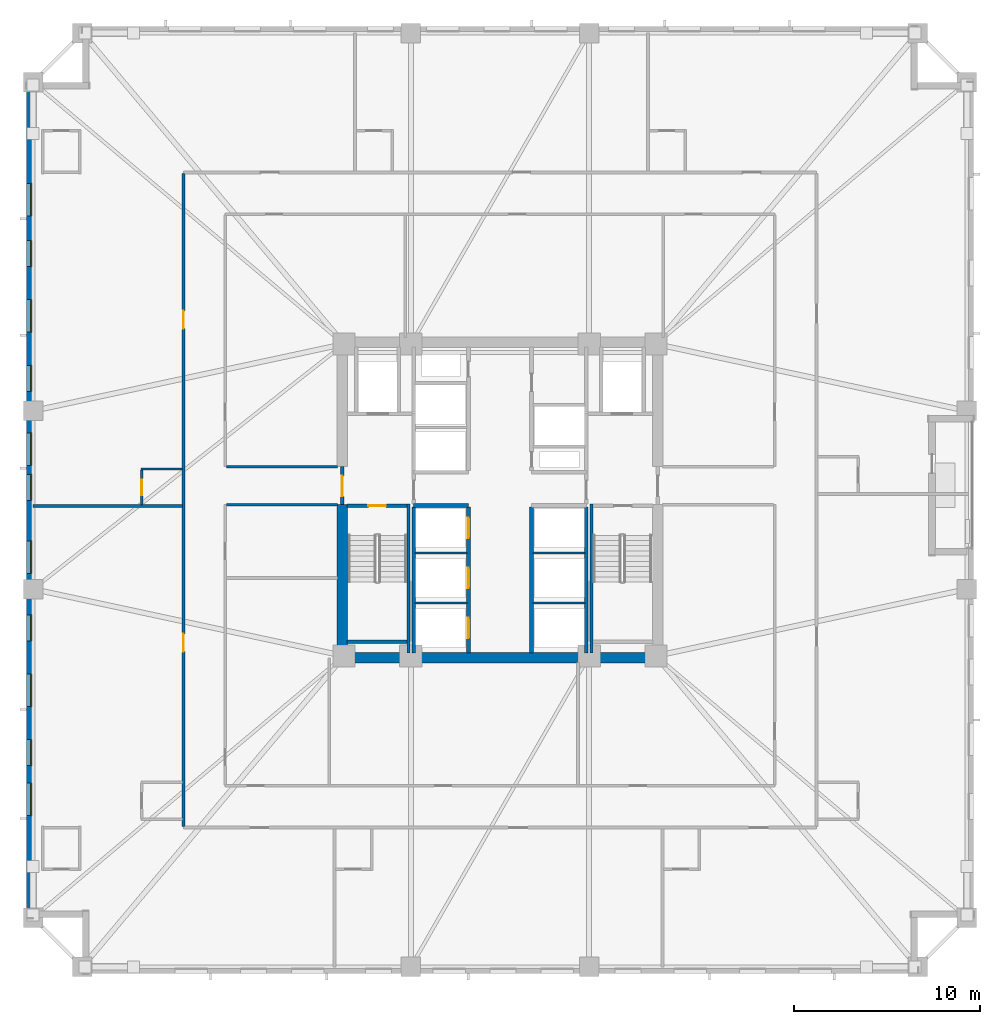
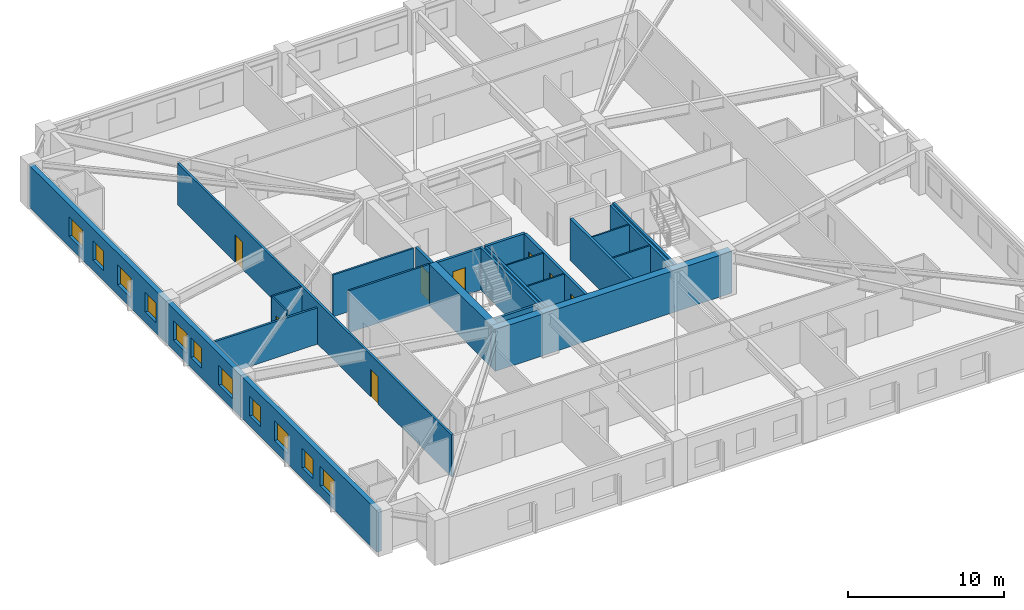
# One storey, part 3 of 11: 23 walls, 11 windows, 8 doors, 19 openings.
"""IFC4 building model written with IfcOpenShell, lengths in metres."""

import ifcopenshell
import ifcopenshell.guid

model = None  # the IFC model being written
_history = None  # IfcOwnerHistory: only IFC2X3 demands one
_inside = {}  # id of a spatial element -> (the spatial element, [elements in it])
_under = {}  # id of a project, library or spatial element -> (it, [spatial elements below it])
_declared = {}  # id of a project -> (the project, [libraries it declares])
_typed = {}  # id of a type object -> (the type object, [elements of that type])
_made_of = {}  # id of a material, layer set ... -> (it, [elements and type objects made of it])


def new_model(schema):
    """Start an empty IFC model of exactly this schema.

    Asked for "IFC4X3", IfcOpenShell would pick the latest addendum, in which some entities
    have other attributes; the version numbers below select the first issue.
    IFC2X3 requires an IfcOwnerHistory on every rooted entity: one is made here for all.
    """
    global model, _history
    if schema == "IFC4X3":
        model = ifcopenshell.file(schema_version=(4, 3, 0, 0))
    else:
        model = ifcopenshell.file(schema=schema)
    _inside.clear()
    _under.clear()
    _declared.clear()
    _typed.clear()
    _made_of.clear()
    _history = None
    if model.schema == "IFC2X3":
        org = make("IfcOrganization", Name="unknown")
        user = make(
            "IfcPersonAndOrganization",
            ThePerson=make("IfcPerson", FamilyName="unknown"),
            TheOrganization=org,
        )
        app = make(
            "IfcApplication",
            ApplicationDeveloper=org,
            Version="unknown",
            ApplicationFullName="unknown",
            ApplicationIdentifier="unknown",
        )
        _history = make(
            "IfcOwnerHistory",
            OwningUser=user,
            OwningApplication=app,
            ChangeAction="ADDED",
            CreationDate=0,
        )
    return model


def make(cls, **values):
    """One entity of the class cls with the attributes given. An attribute that is None is left unset."""
    return model.create_entity(
        cls, **{name: value for name, value in values.items() if value is not None}
    )


def rooted(cls, **values):
    """An entity with a GlobalId (a new one), such as an element, a storey or a relation."""
    return make(cls, GlobalId=ifcopenshell.guid.new(), OwnerHistory=_history, **values)


def si_unit(unit_type, name, prefix=None):
    """IfcSIUnit, for example si_unit("LENGTHUNIT", "METRE", prefix="MILLI")."""
    return make("IfcSIUnit", UnitType=unit_type, Prefix=prefix, Name=name)


def assignment(units):
    """IfcUnitAssignment: the units of a project."""
    return None if units is None else make("IfcUnitAssignment", Units=units)


def point(xyz):
    """IfcCartesianPoint."""
    return None if xyz is None else make("IfcCartesianPoint", Coordinates=xyz)


def direction(xyz):
    """IfcDirection."""
    return None if xyz is None else make("IfcDirection", DirectionRatios=xyz)


def frame(location, z_axis=None, x_axis=None):
    """IfcAxis2Placement3D, a coordinate frame: its origin and axes. An axis left out is left unset."""
    return make(
        "IfcAxis2Placement3D",
        Location=point(location),
        Axis=direction(z_axis),
        RefDirection=direction(x_axis),
    )


def frame_2d(location, x_axis=None):
    """IfcAxis2Placement2D, a coordinate frame in the plane: its origin and x axis."""
    return make(
        "IfcAxis2Placement2D", Location=point(location), RefDirection=direction(x_axis)
    )


def origin():
    """The frame at (0, 0, 0) with its axes left unset."""
    return frame((0.0, 0.0, 0.0))


def place(relative_to, where):
    """IfcLocalPlacement: puts the frame where relative to a parent placement (None: the world)."""
    return make(
        "IfcLocalPlacement", PlacementRelTo=relative_to, RelativePlacement=where
    )


def context(
    kind, dimensions, precision=None, world=None, true_north=None, identifier=None
):
    """IfcGeometricRepresentationContext, for example the 3D "Model" context."""
    return make(
        "IfcGeometricRepresentationContext",
        ContextIdentifier=identifier,
        ContextType=kind,
        CoordinateSpaceDimension=dimensions,
        Precision=precision,
        WorldCoordinateSystem=world,
        TrueNorth=true_north,
    )


def subcontext(parent, identifier, kind, view, scale=None):
    """IfcGeometricRepresentationSubContext, for example "Body" below "Model"."""
    return make(
        "IfcGeometricRepresentationSubContext",
        ContextIdentifier=identifier,
        ContextType=kind,
        ParentContext=parent,
        TargetScale=scale,
        TargetView=view,
    )


def project(units=None, contexts=None):
    """IfcProject with its units and contexts."""
    return rooted(
        "IfcProject",
        Name="project",
        RepresentationContexts=contexts,
        UnitsInContext=assignment(units),
    )


def spatial(cls, under=None, at=None, **own):
    """A site, building, storey or space (cls), placed at a placement, below another one or the project."""
    s = rooted(cls, ObjectPlacement=at, **own)
    if under is not None:
        _under.setdefault(under.id(), (under, []))[1].append(s)
    return s


def profile(cls, at=None, kind="AREA", **sizes):
    """A parametric profile (cls). Its sizes go by their IFC names, for example OverallWidth=200.0."""
    return make(cls, ProfileType=kind, Position=at, **sizes)


def rectangle(**sizes):
    """IfcRectangleProfileDef."""
    return profile("IfcRectangleProfileDef", **sizes)


def extrude(swept, where, along, depth):
    """IfcExtrudedAreaSolid: the profile swept, set in the frame where, extruded along a direction by depth."""
    return make(
        "IfcExtrudedAreaSolid",
        SweptArea=swept,
        Position=where,
        ExtrudedDirection=direction(along),
        Depth=depth,
    )


def shape(context_of_items, identifier, shape_type, items):
    """IfcShapeRepresentation: the items that make up one representation, for example the "Body"."""
    return make(
        "IfcShapeRepresentation",
        ContextOfItems=context_of_items,
        RepresentationIdentifier=identifier,
        RepresentationType=shape_type,
        Items=items,
    )


def material(Name=None, Category=None):
    """IfcMaterial."""
    return make("IfcMaterial", Name=Name, Category=Category)


def layer(
    of_material, thickness, ventilated=None, Name=None, Category=None, Priority=None
):
    """IfcMaterialLayer: one layer of a wall or slab, of a material (None: an air gap)."""
    return make(
        "IfcMaterialLayer",
        Material=of_material,
        LayerThickness=thickness,
        IsVentilated=ventilated,
        Name=Name,
        Category=Category,
        Priority=Priority,
    )


def layer_set(layers, Name=None):
    """IfcMaterialLayerSet."""
    return make("IfcMaterialLayerSet", MaterialLayers=layers, LayerSetName=Name)


def made_of(thing, what):
    """Note that an element or type object is made of a material, layer set ...; save() writes the relation."""
    if what is not None:
        _made_of.setdefault(what.id(), (what, []))[1].append(thing)
    return thing


def type_object(cls, material=None, **own):
    """A type object (cls), such as IfcWallType, which elements share."""
    return made_of(rooted(cls, **own), material)


def element(
    cls,
    number,
    at=None,
    inside=None,
    cuts=None,
    type_object=None,
    material=None,
    context=None,
    identifier="Body",
    shape_type=None,
    held_by="IfcProductDefinitionShape",
    body=None,
    shapes=None,
    **own,
):
    """One element of the class cls, such as IfcWall. Its Tag is "e" and its number.

    at: its placement. inside: the storey or other place that contains it. cuts: it is an
    opening in that element (IfcRelVoidsElement). A single representation is given by context,
    identifier, shape_type and body (its items); several are given by shapes. held_by: the class
    of the entity that holds the representations. save() writes the other relations.
    """
    e = rooted(cls, Tag="e%d" % number, ObjectPlacement=at, **own)
    if body is not None:
        shapes = [shape(context, identifier, shape_type, body)]
    if shapes is not None:
        e.Representation = make(held_by, Representations=shapes)
    if inside is not None:
        _inside.setdefault(inside.id(), (inside, []))[1].append(e)
    if cuts is not None:
        rooted(
            "IfcRelVoidsElement", RelatingBuildingElement=cuts, RelatedOpeningElement=e
        )
    if type_object is not None:
        _typed.setdefault(type_object.id(), (type_object, []))[1].append(e)
    return made_of(e, material)


def fill(opening, filler):
    """IfcRelFillsElement: the door or window that sits in an opening."""
    return rooted(
        "IfcRelFillsElement",
        RelatingOpeningElement=opening,
        RelatedBuildingElement=filler,
    )


def aggregate(whole, parts):
    """IfcRelAggregates: a whole, such as a stair, and the parts it consists of."""
    return rooted("IfcRelAggregates", RelatingObject=whole, RelatedObjects=parts)


def save(model, path):
    """Write the relations noted so far, then the file.

    IfcRelAggregates (storeys below a building ...), IfcRelContainedInSpatialStructure (elements
    in a storey), IfcRelDefinesByType, IfcRelAssociatesMaterial and IfcRelDeclares: one each for
    every whole, place, type object, material and project.
    """
    for whole, parts in _under.values():
        aggregate(whole, parts)
    for where, things in _inside.values():
        rooted(
            "IfcRelContainedInSpatialStructure",
            RelatedElements=things,
            RelatingStructure=where,
        )
    for kind, things in _typed.values():
        rooted("IfcRelDefinesByType", RelatedObjects=things, RelatingType=kind)
    for what, things in _made_of.values():
        rooted("IfcRelAssociatesMaterial", RelatedObjects=things, RelatingMaterial=what)
    for by, libraries in _declared.values():
        rooted("IfcRelDeclares", RelatingContext=by, RelatedDefinitions=libraries)
    model.write(path)


model = new_model("IFC4")

# Units and contexts
model_context = context("Model", 3, precision=1e-05, world=origin(), true_north=direction((0.0, 1.0)))
body_context = subcontext(model_context, "Body", "Model", "MODEL_VIEW")
ifc_project = project(units=[si_unit("LENGTHUNIT", "METRE"), si_unit("AREAUNIT", "SQUARE_METRE"), si_unit("VOLUMEUNIT", "CUBIC_METRE"), si_unit("PLANEANGLEUNIT", "RADIAN"), si_unit("MASSUNIT", "GRAM", prefix="KILO")], contexts=[model_context])

# Site, building, storey
site_placement = place(None, origin())
site = spatial("IfcSite", under=ifc_project, at=site_placement, CompositionType="ELEMENT")
building_placement = place(site_placement, origin())
building = spatial("IfcBuilding", under=site, at=building_placement, Name="Cairnveth Concourse Tower", CompositionType="ELEMENT")
storey_placement = place(building_placement, frame((0.0, 0.0, 72.5)))
storey = spatial("IfcBuildingStorey", under=building, at=storey_placement, Name="L19", CompositionType="ELEMENT", Elevation=72.5)

# Wall, openings, doors
ifc_material_1 = material(Name="Gypsum Plasterboard Partition", Category="gypsum")
ifc_layer_1 = layer(ifc_material_1, 0.159912109375)
ifc_layer_set_1 = layer_set([ifc_layer_1], Name="Gypsum Plasterboard Partition")
wall_type_1 = type_object("IfcWallType", Name="ACOUSTIC PARTY WALL 180", PredefinedType="PARTITIONING", material=ifc_layer_set_1)
wall_1_placement = place(storey_placement, frame((34.949951171875, 21.4150390625, 0.0), z_axis=(0.0, 0.0, 1.0), x_axis=(0.0, 1.0, 0.0)))
wall_1 = element("IfcWall", 1, at=wall_1_placement, inside=storey, type_object=wall_type_1, Name="Interior Wall IW-L19-039", PredefinedType="PARTITIONING", context=body_context, shape_type="SweptSolid", body=[
    extrude(rectangle(XDim=35.169921875, YDim=0.159912109375, at=frame_2d((17.5849609375, 0.0))), origin(), (0.0, 0.0, 1.0), 3.280029296875),
])
opening_1_placement = place(wall_1_placement, frame((9.414306640625, 0.0, 0.0)))
opening_1 = element("IfcOpeningElement", 2, at=opening_1_placement, cuts=wall_1, Name="Opening ID09", PredefinedType="OPENING", context=body_context, shape_type="SweptSolid", body=[
    extrude(rectangle(XDim=0.9599609375, YDim=2.14990234375, at=frame_2d((0.47998046875, 1.074951171875))), frame((0.0, 0.08984375, 0.0), z_axis=(0.0, -1.0, 0.0), x_axis=(1.0, 0.0, 0.0)), (0.0, 0.0, 1.0), 0.179931640625),
])
opening_2_placement = place(wall_1_placement, frame((26.814208984375, 0.0, 0.0)))
opening_2 = element("IfcOpeningElement", 3, at=opening_2_placement, cuts=wall_1, Name="Opening ID09", PredefinedType="OPENING", context=body_context, shape_type="SweptSolid", body=[
    extrude(rectangle(XDim=0.9599609375, YDim=2.14990234375, at=frame_2d((0.47998046875, 1.074951171875))), frame((0.0, 0.08984375, 0.0), z_axis=(0.0, -1.0, 0.0), x_axis=(1.0, 0.0, 0.0)), (0.0, 0.0, 1.0), 0.179931640625),
])
ifc_material_2 = material(Name="Solid Core Hardwood Timber Leaf", Category="wood")
door_type_1 = type_object("IfcDoorType", Name="HOTEL ENTRANCE DOOR 960X2150", OperationType="NOTDEFINED", PredefinedType="DOOR", material=ifc_material_2)
door_1_placement = place(opening_1_placement, origin())
door_1 = element("IfcDoor", 4, at=door_1_placement, inside=storey, type_object=door_type_1, Name="Hotel Room Door L19-W1", OperationType="SINGLE_SWING_LEFT", OverallHeight=2.14990234375, OverallWidth=0.9599609375, PredefinedType="DOOR", context=body_context, shape_type="SweptSolid", body=[
    extrude(rectangle(XDim=0.9599609375, YDim=2.14990234375, at=frame_2d((0.47998046875, 1.074951171875))), frame((0.0, 0.02490234375, 0.0), z_axis=(0.0, -1.0, 0.0), x_axis=(1.0, 0.0, 0.0)), (0.0, 0.0, 1.0), 0.050048828125),
])
fill(opening_1, door_1)
door_2_placement = place(opening_2_placement, origin())
door_2 = element("IfcDoor", 5, at=door_2_placement, inside=storey, type_object=door_type_1, Name="Hotel Room Door L19-W2", OperationType="SINGLE_SWING_LEFT", OverallHeight=2.14990234375, OverallWidth=0.9599609375, PredefinedType="DOOR", context=body_context, shape_type="SweptSolid", body=[
    extrude(rectangle(XDim=0.9599609375, YDim=2.14990234375, at=frame_2d((0.47998046875, 1.074951171875))), frame((0.0, 0.02490234375, 0.0), z_axis=(0.0, -1.0, 0.0), x_axis=(1.0, 0.0, 0.0)), (0.0, 0.0, 1.0), 0.050048828125),
])
fill(opening_2, door_2)

# Walls
wall_2_placement = place(storey_placement, frame((26.844970703125, 38.66845703125, 0.0), z_axis=(0.0, 0.0, 1.0), x_axis=(1.0, 0.0, 0.0)))
element("IfcWall", 6, at=wall_2_placement, inside=storey, type_object=wall_type_1, Name="Interior Wall IW-L19-079", PredefinedType="PARTITIONING", context=body_context, shape_type="SweptSolid", body=[
    extrude(rectangle(XDim=8.0400390625, YDim=0.159912109375, at=frame_2d((4.02001953125, 0.0))), origin(), (0.0, 0.0, 1.0), 2.84912109375),
])
ifc_material_3 = material(Name="Concrete N80 (80 MPa)", Category="concrete")
ifc_layer_2 = layer(ifc_material_3, 0.550048828125)
ifc_layer_set_2 = layer_set([ifc_layer_2], Name="Concrete N80 (80 MPa)")
wall_type_2 = type_object("IfcWallType", Name="CORE SHEAR WALL 550", PredefinedType="SHEAR", material=ifc_layer_set_2)
wall_3_placement = place(storey_placement, frame((43.22509765625, 30.5, 0.0), z_axis=(0.0, 0.0, 1.0), x_axis=(1.0, 0.0, 0.0)))
element("IfcWall", 7, at=wall_3_placement, inside=storey, type_object=wall_type_2, Name="Core South Shear Wall L19", PredefinedType="SHEAR", context=body_context, shape_type="SweptSolid", body=[
    extrude(rectangle(XDim=17.5498046875, YDim=0.550048828125, at=frame_2d((8.77490234375, 0.0))), origin(), (0.0, 0.0, 1.0), 3.280029296875),
])
wall_4_placement = place(storey_placement, frame((43.5, 30.764892578125, 0.0), z_axis=(0.0, 0.0, 1.0), x_axis=(0.0, 1.0, 0.0)))
element("IfcWall", 8, at=wall_4_placement, inside=storey, type_object=wall_type_2, Name="Core West Shear Wall S L19", PredefinedType="SHEAR", context=body_context, shape_type="SweptSolid", body=[
    extrude(rectangle(XDim=7.985107421875, YDim=0.550048828125, at=frame_2d((3.99267578125, 0.0))), origin(), (0.0, 0.0, 1.0), 3.280029296875),
])
ifc_material_4 = material(Name="Concrete N50 (50 MPa)", Category="concrete")
ifc_layer_3 = layer(ifc_material_4, 0.179931640625)
ifc_layer_set_3 = layer_set([ifc_layer_3], Name="Concrete N50 (50 MPa)")
wall_type_3 = type_object("IfcWallType", Name="FIRE SHAFT WALL 180", PredefinedType="SOLIDWALL", material=ifc_layer_set_3)
for number, where, z_axis, x_axis, name in (
    (9, (47.35009765625, 30.760009765625, 0.0), (0.0, 0.0, 1.0), (0.0, 1.0, 0.0), "Interior Wall IW-L19-025"),
    (10, (56.64990234375, 30.760009765625, 0.0), (0.0, 0.0, 1.0), (0.0, 1.0, 0.0), "Interior Wall IW-L19-028"),
):
    element("IfcWall", number, at=place(storey_placement, frame(where, z_axis=z_axis, x_axis=x_axis)), inside=storey, type_object=wall_type_3, Name=name, PredefinedType="SOLIDWALL", context=body_context, shape_type="SweptSolid", body=[
        extrude(rectangle(XDim=7.85498046875, YDim=0.179931640625, at=frame_2d((3.927490234375, 0.0))), origin(), (0.0, 0.0, 1.0), 3.280029296875),
    ])

# Wall, opening, door
wall_5_placement = place(storey_placement, frame((43.764892578125, 38.68994140625, 0.0), z_axis=(0.0, 0.0, 1.0), x_axis=(1.0, 0.0, 0.0)))
wall_5 = element("IfcWall", 11, at=wall_5_placement, inside=storey, type_object=wall_type_3, Name="Stair ST-1 Shaft Wall NEAR L19", PredefinedType="SOLIDWALL", context=body_context, shape_type="SweptSolid", body=[
    extrude(rectangle(XDim=3.230224609375, YDim=0.179931640625, at=frame_2d((1.615234375, 0.0))), origin(), (0.0, 0.0, 1.0), 3.280029296875),
])
opening_3_placement = place(wall_5_placement, frame((1.139892578125, 0.0, 0.0)))
opening_3 = element("IfcOpeningElement", 12, at=opening_3_placement, cuts=wall_5, Name="Opening ID12", PredefinedType="OPENING", context=body_context, shape_type="SweptSolid", body=[
    extrude(rectangle(XDim=0.949951171875, YDim=2.14990234375, at=frame_2d((0.47509765625, 1.074951171875))), frame((0.0, 0.099853515625, 0.0), z_axis=(0.0, -1.0, 0.0), x_axis=(1.0, 0.0, 0.0)), (0.0, 0.0, 1.0), 0.199951171875),
])
ifc_material_5 = material(Name="Steel Grade 350", Category="steel")
door_type_2 = type_object("IfcDoorType", Name="FIRE STAIR DOOR 950X2150", OperationType="NOTDEFINED", PredefinedType="DOOR", material=ifc_material_5)
door_3_placement = place(opening_3_placement, origin())
door_3 = element("IfcDoor", 13, at=door_3_placement, inside=storey, type_object=door_type_2, Name="Stair ST-1 Fire Door L19", OperationType="SINGLE_SWING_LEFT", OverallHeight=2.14990234375, OverallWidth=0.949951171875, PredefinedType="DOOR", context=body_context, shape_type="SweptSolid", body=[
    extrude(rectangle(XDim=0.949951171875, YDim=2.14990234375, at=frame_2d((0.47509765625, 1.074951171875))), frame((0.0, 0.02490234375, 0.0), z_axis=(0.0, -1.0, 0.0), x_axis=(1.0, 0.0, 0.0)), (0.0, 0.0, 1.0), 0.050048828125),
])
fill(opening_3, door_3)

# Walls
wall_6_placement = place(storey_placement, frame((43.764892578125, 31.360107421875, 0.0), z_axis=(0.0, 0.0, 1.0), x_axis=(1.0, 0.0, 0.0)))
element("IfcWall", 14, at=wall_6_placement, inside=storey, type_object=wall_type_3, Name="Stair ST-1 Shaft Wall FAR L19", PredefinedType="SOLIDWALL", context=body_context, shape_type="SweptSolid", body=[
    extrude(rectangle(XDim=3.230224609375, YDim=0.179931640625, at=frame_2d((1.615234375, 0.0))), origin(), (0.0, 0.0, 1.0), 3.280029296875),
])
for number, where, z_axis, x_axis, name in (
    (15, (47.070068359375, 38.780029296875, 0.0), (0.0, 0.0, 1.0), (0.0, -1.0, 0.0), "Stair ST-1 Shaft Wall RGHT L19"),
    (16, (56.929931640625, 38.780029296875, 0.0), (0.0, 0.0, 1.0), (0.0, -1.0, 0.0), "Stair ST-2 Shaft Wall LEFT L19"),
):
    element("IfcWall", number, at=place(storey_placement, frame(where, z_axis=z_axis, x_axis=x_axis)), inside=storey, type_object=wall_type_3, Name=name, PredefinedType="SOLIDWALL", context=body_context, shape_type="SweptSolid", body=[
        extrude(rectangle(XDim=8.01708984375, YDim=0.179931640625, at=frame_2d((4.008544921875, 0.0))), origin(), (0.0, 0.0, 1.0), 3.280029296875),
    ])
ifc_layer_4 = layer(ifc_material_4, 0.199951171875)
ifc_layer_set_4 = layer_set([ifc_layer_4], Name="Concrete N50 (50 MPa)")
wall_type_4 = type_object("IfcWallType", Name="FIRE SHAFT WALL 200", PredefinedType="SOLIDWALL", material=ifc_layer_set_4)
wall_7_placement = place(storey_placement, frame((47.35009765625, 38.699951171875, 0.0), z_axis=(0.0, 0.0, 1.0), x_axis=(1.0, 0.0, 0.0)))
element("IfcWall", 17, at=wall_7_placement, inside=storey, type_object=wall_type_4, Name="Interior Wall IW-L19-007", PredefinedType="SOLIDWALL", context=body_context, shape_type="SweptSolid", body=[
    extrude(rectangle(XDim=2.949951171875, YDim=0.199951171875, at=frame_2d((1.47509765625, 0.0))), origin(), (0.0, 0.0, 1.0), 3.280029296875),
])

# Wall, openings, doors
wall_8_placement = place(storey_placement, frame((50.300048828125, 30.760009765625, 0.0), z_axis=(0.0, 0.0, 1.0), x_axis=(0.0, 1.0, 0.0)))
wall_8 = element("IfcWall", 18, at=wall_8_placement, inside=storey, type_object=wall_type_4, Name="Interior Wall IW-L19-011", PredefinedType="SOLIDWALL", context=body_context, shape_type="SweptSolid", body=[
    extrude(rectangle(XDim=7.85498046875, YDim=0.199951171875, at=frame_2d((3.927490234375, 0.0))), origin(), (0.0, 0.0, 1.0), 3.280029296875),
])
opening_4_placement = place(wall_8_placement, frame((0.7900390625, 0.0, 0.0)))
opening_4 = element("IfcOpeningElement", 19, at=opening_4_placement, cuts=wall_8, Name="Opening LD-1", PredefinedType="OPENING", context=body_context, shape_type="SweptSolid", body=[
    extrude(rectangle(XDim=1.10009765625, YDim=2.199951171875, at=frame_2d((0.550048828125, 1.10009765625))), frame((0.0, 0.10986328125, 0.0), z_axis=(0.0, -1.0, 0.0), x_axis=(1.0, 0.0, 0.0)), (0.0, 0.0, 1.0), 0.219970703125),
])
opening_5_placement = place(wall_8_placement, frame((3.489990234375, 0.0, 0.0)))
opening_5 = element("IfcOpeningElement", 20, at=opening_5_placement, cuts=wall_8, Name="Opening LD-1", PredefinedType="OPENING", context=body_context, shape_type="SweptSolid", body=[
    extrude(rectangle(XDim=1.10009765625, YDim=2.199951171875, at=frame_2d((0.550048828125, 1.10009765625))), frame((0.0, 0.10986328125, 0.0), z_axis=(0.0, -1.0, 0.0), x_axis=(1.0, 0.0, 0.0)), (0.0, 0.0, 1.0), 0.219970703125),
])
opening_6_placement = place(wall_8_placement, frame((6.18994140625, 0.0, 0.0)))
opening_6 = element("IfcOpeningElement", 21, at=opening_6_placement, cuts=wall_8, Name="Opening LD-1", PredefinedType="OPENING", context=body_context, shape_type="SweptSolid", body=[
    extrude(rectangle(XDim=1.10009765625, YDim=2.199951171875, at=frame_2d((0.550048828125, 1.10009765625))), frame((0.0, 0.10986328125, 0.0), z_axis=(0.0, -1.0, 0.0), x_axis=(1.0, 0.0, 0.0)), (0.0, 0.0, 1.0), 0.219970703125),
])
ifc_material_6 = material(Name="Architectural Bronze Anodised Aluminium 6063-T6", Category="aluminium")
door_type_3 = type_object("IfcDoorType", Name="LIFT LANDING DOOR 1100X2200", OperationType="SLIDING_TO_LEFT", PredefinedType="DOOR", material=ifc_material_6)
door_4_placement = place(opening_4_placement, origin())
door_4 = element("IfcDoor", 22, at=door_4_placement, inside=storey, type_object=door_type_3, Name="Lift PL1 Landing Door L19", OperationType="SLIDING_TO_LEFT", OverallHeight=2.199951171875, OverallWidth=1.10009765625, PredefinedType="DOOR", context=body_context, shape_type="SweptSolid", body=[
    extrude(rectangle(XDim=1.10009765625, YDim=2.199951171875, at=frame_2d((0.550048828125, 1.10009765625))), frame((0.0, 0.02490234375, 0.0), z_axis=(0.0, -1.0, 0.0), x_axis=(1.0, 0.0, 0.0)), (0.0, 0.0, 1.0), 0.050048828125),
])
fill(opening_4, door_4)
door_5_placement = place(opening_5_placement, origin())
door_5 = element("IfcDoor", 23, at=door_5_placement, inside=storey, type_object=door_type_3, Name="Lift PL2 Landing Door L19", OperationType="SLIDING_TO_LEFT", OverallHeight=2.199951171875, OverallWidth=1.10009765625, PredefinedType="DOOR", context=body_context, shape_type="SweptSolid", body=[
    extrude(rectangle(XDim=1.10009765625, YDim=2.199951171875, at=frame_2d((0.550048828125, 1.10009765625))), frame((0.0, 0.02490234375, 0.0), z_axis=(0.0, -1.0, 0.0), x_axis=(1.0, 0.0, 0.0)), (0.0, 0.0, 1.0), 0.050048828125),
])
fill(opening_5, door_5)
door_6_placement = place(opening_6_placement, origin())
door_6 = element("IfcDoor", 24, at=door_6_placement, inside=storey, type_object=door_type_3, Name="Lift PL3 Landing Door L19", OperationType="SLIDING_TO_LEFT", OverallHeight=2.199951171875, OverallWidth=1.10009765625, PredefinedType="DOOR", context=body_context, shape_type="SweptSolid", body=[
    extrude(rectangle(XDim=1.10009765625, YDim=2.199951171875, at=frame_2d((0.550048828125, 1.10009765625))), frame((0.0, 0.02490234375, 0.0), z_axis=(0.0, -1.0, 0.0), x_axis=(1.0, 0.0, 0.0)), (0.0, 0.0, 1.0), 0.050048828125),
])
fill(opening_6, door_6)

# Wall
wall_9_placement = place(storey_placement, frame((53.699951171875, 30.760009765625, 0.0), z_axis=(0.0, 0.0, 1.0), x_axis=(0.0, 1.0, 0.0)))
element("IfcWall", 25, at=wall_9_placement, inside=storey, type_object=wall_type_4, Name="Interior Wall IW-L19-012", PredefinedType="SOLIDWALL", context=body_context, shape_type="SweptSolid", body=[
    extrude(rectangle(XDim=7.85498046875, YDim=0.199951171875, at=frame_2d((3.927490234375, 0.0))), origin(), (0.0, 0.0, 1.0), 3.280029296875),
])

# Wall, opening, door
wall_10_placement = place(storey_placement, frame((43.5, 38.75, 0.0), z_axis=(0.0, 0.0, 1.0), x_axis=(0.0, 1.0, 0.0)))
wall_10 = element("IfcWall", 26, at=wall_10_placement, inside=storey, type_object=wall_type_4, Name="Interior Wall IW-L19-015", PredefinedType="SOLIDWALL", context=body_context, shape_type="SweptSolid", body=[
    extrude(rectangle(XDim=2.050048828125, YDim=0.199951171875, at=frame_2d((1.02490234375, 0.0))), origin(), (0.0, 0.0, 1.0), 3.280029296875),
])
opening_7_placement = place(wall_10_placement, frame((0.449951171875, 0.0, 0.0)))
opening_7 = element("IfcOpeningElement", 27, at=opening_7_placement, cuts=wall_10, Name="Opening ID06", PredefinedType="OPENING", context=body_context, shape_type="SweptSolid", body=[
    extrude(rectangle(XDim=1.10009765625, YDim=2.14990234375, at=frame_2d((0.550048828125, 1.074951171875))), frame((0.0, 0.10986328125, 0.0), z_axis=(0.0, -1.0, 0.0), x_axis=(1.0, 0.0, 0.0)), (0.0, 0.0, 1.0), 0.219970703125),
])
door_type_4 = type_object("IfcDoorType", Name="FIRE CORRIDOR DOOR 1100X2150", OperationType="NOTDEFINED", PredefinedType="DOOR", material=ifc_material_5)
door_7_placement = place(opening_7_placement, origin())
door_7 = element("IfcDoor", 28, at=door_7_placement, inside=storey, type_object=door_type_4, Name="West Wing to FF Lobby Door L19", OperationType="SINGLE_SWING_LEFT", OverallHeight=2.14990234375, OverallWidth=1.10009765625, PredefinedType="DOOR", context=body_context, shape_type="SweptSolid", body=[
    extrude(rectangle(XDim=1.10009765625, YDim=2.14990234375, at=frame_2d((0.550048828125, 1.074951171875))), frame((0.0, 0.02490234375, 0.0), z_axis=(0.0, -1.0, 0.0), x_axis=(1.0, 0.0, 0.0)), (0.0, 0.0, 1.0), 0.050048828125),
])
fill(opening_7, door_7)

# Walls
ifc_layer_5 = layer(ifc_material_1, 0.139892578125)
ifc_layer_set_5 = layer_set([ifc_layer_5], Name="Gypsum Plasterboard Partition")
wall_type_5 = type_object("IfcWallType", Name="GYPSUM STUD PARTITION 140", PredefinedType="PARTITIONING", material=ifc_layer_set_5)
for number, where, z_axis, x_axis, name in (
    (29, (37.2548828125, 38.75, 0.0), (0.0, 0.0, 1.0), (1.0, 0.0, 0.0), "Interior Wall IW-L19-045"),
    (30, (37.2548828125, 40.800048828125, 0.0), (0.0, 0.0, 1.0), (1.0, 0.0, 0.0), "Interior Wall IW-L19-046"),
):
    element("IfcWall", number, at=place(storey_placement, frame(where, z_axis=z_axis, x_axis=x_axis)), inside=storey, type_object=wall_type_5, Name=name, PredefinedType="PARTITIONING", context=body_context, shape_type="SweptSolid", body=[
        extrude(rectangle(XDim=5.985107421875, YDim=0.139892578125, at=frame_2d((2.99267578125, 0.0))), origin(), (0.0, 0.0, 1.0), 3.280029296875),
    ])
ifc_layer_6 = layer(ifc_material_1, 0.110107421875)
ifc_layer_set_6 = layer_set([ifc_layer_6], Name="Gypsum Plasterboard Partition")
wall_type_6 = type_object("IfcWallType", Name="SHAFT DIVIDER WALL 140", PredefinedType="PARTITIONING", material=ifc_layer_set_6)
for number, where, z_axis, x_axis, name in (
    (31, (47.425048828125, 33.449951171875, 0.0), (0.0, 0.0, 1.0), (1.0, 0.0, 0.0), "Interior Wall IW-L19-026"),
    (32, (47.425048828125, 36.14990234375, 0.0), (0.0, 0.0, 1.0), (1.0, 0.0, 0.0), "Interior Wall IW-L19-027"),
    (33, (53.784912109375, 33.449951171875, 0.0), (0.0, 0.0, 1.0), (1.0, 0.0, 0.0), "Interior Wall IW-L19-029"),
    (34, (53.784912109375, 36.14990234375, 0.0), (0.0, 0.0, 1.0), (1.0, 0.0, 0.0), "Interior Wall IW-L19-030"),
):
    element("IfcWall", number, at=place(storey_placement, frame(where, z_axis=z_axis, x_axis=x_axis)), inside=storey, type_object=wall_type_6, Name=name, PredefinedType="PARTITIONING", context=body_context, shape_type="SweptSolid", body=[
        extrude(rectangle(XDim=2.7900390625, YDim=0.110107421875, at=frame_2d((1.39501953125, 0.0))), origin(), (0.0, 0.0, 1.0), 3.280029296875),
    ])
ifc_layer_7 = layer(ifc_material_1, 0.1298828125)
ifc_layer_set_7 = layer_set([ifc_layer_7], Name="Gypsum Plasterboard Partition")
wall_type_7 = type_object("IfcWallType", Name="WET AREA PARTITION 140", PredefinedType="PLUMBINGWALL", material=ifc_layer_set_7)
wall_11_placement = place(storey_placement, frame((32.64990234375, 40.66845703125, 0.0), z_axis=(0.0, 0.0, 1.0), x_axis=(1.0, 0.0, 0.0)))
element("IfcWall", 35, at=wall_11_placement, inside=storey, type_object=wall_type_7, Name="Interior Wall IW-L19-080", PredefinedType="PLUMBINGWALL", context=body_context, shape_type="SweptSolid", body=[
    extrude(rectangle(XDim=2.235107421875, YDim=0.1298828125, at=frame_2d((1.11767578125, 0.0))), origin(), (0.0, 0.0, 1.0), 3.280029296875),
])

# Wall, opening, door
wall_12_placement = place(storey_placement, frame((32.699951171875, 38.7333984375, 0.0), z_axis=(0.0, 0.0, 1.0), x_axis=(0.0, 1.0, 0.0)))
wall_12 = element("IfcWall", 36, at=wall_12_placement, inside=storey, type_object=wall_type_7, Name="Interior Wall IW-L19-081", PredefinedType="PLUMBINGWALL", context=body_context, shape_type="SweptSolid", body=[
    extrude(rectangle(XDim=1.885009765625, YDim=0.1298828125, at=frame_2d((0.9423828125, 0.0))), origin(), (0.0, 0.0, 1.0), 3.280029296875),
])
opening_8_placement = place(wall_12_placement, frame((0.52490234375, 0.0, 0.0)))
opening_8 = element("IfcOpeningElement", 37, at=opening_8_placement, cuts=wall_12, Name="Opening ID22", PredefinedType="OPENING", context=body_context, shape_type="SweptSolid", body=[
    extrude(rectangle(XDim=0.820068359375, YDim=2.10009765625, at=frame_2d((0.41015625, 1.050048828125))), frame((0.0, 0.074951171875, 0.0), z_axis=(0.0, -1.0, 0.0), x_axis=(1.0, 0.0, 0.0)), (0.0, 0.0, 1.0), 0.14990234375),
])
door_type_5 = type_object("IfcDoorType", Name="INTERIOR WC DOOR 820X2100", OperationType="NOTDEFINED", PredefinedType="DOOR", material=ifc_material_2)
door_8_placement = place(opening_8_placement, origin())
door_8 = element("IfcDoor", 38, at=door_8_placement, inside=storey, type_object=door_type_5, Name="En-Suite Door L19-W2", OperationType="SINGLE_SWING_RIGHT", OverallHeight=2.10009765625, OverallWidth=0.820068359375, PredefinedType="DOOR", context=body_context, shape_type="SweptSolid", body=[
    extrude(rectangle(XDim=0.820068359375, YDim=2.10009765625, at=frame_2d((0.41015625, 1.050048828125))), frame((0.0, 0.02490234375, 0.0), z_axis=(0.0, -1.0, 0.0), x_axis=(1.0, 0.0, 0.0)), (0.0, 0.0, 1.0), 0.050048828125),
])
fill(opening_8, door_8)

# Wall, openings, windows
ifc_material_7 = material(Name="Hawthorn Red-Ochre Fired Clay Brick Masonry", Category="masonry")
ifc_layer_8 = layer(ifc_material_7, 0.360107421875)
ifc_layer_set_8 = layer_set([ifc_layer_8], Name="Hawthorn Red-Ochre Fired Clay Brick Masonry")
wall_type_8 = type_object("IfcWallType", Name="ZONE 1 BRICK PIER SPANDREL WALL 360", PredefinedType="SOLIDWALL", material=ifc_layer_set_8)
wall_13_placement = place(storey_placement, frame((26.679931640625, 16.5, 0.0), z_axis=(0.0, 0.0, 1.0), x_axis=(0.0, 1.0, 0.0)))
wall_13 = element("IfcWall", 39, at=wall_13_placement, inside=storey, type_object=wall_type_8, Name="Exterior Wall EW-L19-S06", PredefinedType="SOLIDWALL", context=body_context, shape_type="SweptSolid", body=[
    extrude(rectangle(XDim=44.662109375, YDim=0.360107421875, at=frame_2d((22.3310546875, 0.0))), origin(), (0.0, 0.0, 1.0), 3.280029296875),
])
opening_9_placement = place(wall_13_placement, frame((5.505126953125, 0.0, 0.800048828125)))
opening_9 = element("IfcOpeningElement", 40, at=opening_9_placement, cuts=wall_13, Name="Opening W06", PredefinedType="OPENING", context=body_context, shape_type="SweptSolid", body=[
    extrude(rectangle(XDim=1.75, YDim=1.5439453125, at=frame_2d((0.875, 0.77197265625))), frame((0.0, 0.18994140625, 0.0), z_axis=(0.0, -1.0, 0.0), x_axis=(1.0, 0.0, 0.0)), (0.0, 0.0, 1.0), 0.380126953125),
])
opening_10_placement = place(wall_13_placement, frame((8.190185546875, 0.0, 0.800048828125)))
opening_10 = element("IfcOpeningElement", 41, at=opening_10_placement, cuts=wall_13, Name="Opening W05", PredefinedType="OPENING", context=body_context, shape_type="SweptSolid", body=[
    extrude(rectangle(XDim=1.39990234375, YDim=1.5439453125, at=frame_2d((0.699951171875, 0.77197265625))), frame((0.0, 0.18994140625, 0.0), z_axis=(0.0, -1.0, 0.0), x_axis=(1.0, 0.0, 0.0)), (0.0, 0.0, 1.0), 0.380126953125),
])
opening_11_placement = place(wall_13_placement, frame((11.37548828125, 0.0, 0.800048828125)))
opening_11 = element("IfcOpeningElement", 42, at=opening_11_placement, cuts=wall_13, Name="Opening W06", PredefinedType="OPENING", context=body_context, shape_type="SweptSolid", body=[
    extrude(rectangle(XDim=1.75, YDim=1.5439453125, at=frame_2d((0.875, 0.77197265625))), frame((0.0, 0.18994140625, 0.0), z_axis=(0.0, -1.0, 0.0), x_axis=(1.0, 0.0, 0.0)), (0.0, 0.0, 1.0), 0.380126953125),
])
opening_12_placement = place(wall_13_placement, frame((14.91064453125, 0.0, 0.800048828125)))
opening_12 = element("IfcOpeningElement", 43, at=opening_12_placement, cuts=wall_13, Name="Opening W05", PredefinedType="OPENING", context=body_context, shape_type="SweptSolid", body=[
    extrude(rectangle(XDim=1.39990234375, YDim=1.5439453125, at=frame_2d((0.699951171875, 0.77197265625))), frame((0.0, 0.18994140625, 0.0), z_axis=(0.0, -1.0, 0.0), x_axis=(1.0, 0.0, 0.0)), (0.0, 0.0, 1.0), 0.380126953125),
])
opening_13_placement = place(wall_13_placement, frame((18.5458984375, 0.0, 0.800048828125)))
opening_13 = element("IfcOpeningElement", 44, at=opening_13_placement, cuts=wall_13, Name="Opening W06", PredefinedType="OPENING", context=body_context, shape_type="SweptSolid", body=[
    extrude(rectangle(XDim=1.75, YDim=1.5439453125, at=frame_2d((0.875, 0.77197265625))), frame((0.0, 0.18994140625, 0.0), z_axis=(0.0, -1.0, 0.0), x_axis=(1.0, 0.0, 0.0)), (0.0, 0.0, 1.0), 0.380126953125),
])
opening_14_placement = place(wall_13_placement, frame((22.48095703125, 0.0, 0.800048828125)))
opening_14 = element("IfcOpeningElement", 45, at=opening_14_placement, cuts=wall_13, Name="Opening W05", PredefinedType="OPENING", context=body_context, shape_type="SweptSolid", body=[
    extrude(rectangle(XDim=1.39990234375, YDim=1.5439453125, at=frame_2d((0.699951171875, 0.77197265625))), frame((0.0, 0.18994140625, 0.0), z_axis=(0.0, -1.0, 0.0), x_axis=(1.0, 0.0, 0.0)), (0.0, 0.0, 1.0), 0.380126953125),
])
opening_15_placement = place(wall_13_placement, frame((24.3662109375, 0.0, 0.800048828125)))
opening_15 = element("IfcOpeningElement", 46, at=opening_15_placement, cuts=wall_13, Name="Opening W06", PredefinedType="OPENING", context=body_context, shape_type="SweptSolid", body=[
    extrude(rectangle(XDim=1.75, YDim=1.5439453125, at=frame_2d((0.875, 0.77197265625))), frame((0.0, 0.18994140625, 0.0), z_axis=(0.0, -1.0, 0.0), x_axis=(1.0, 0.0, 0.0)), (0.0, 0.0, 1.0), 0.380126953125),
])
opening_16_placement = place(wall_13_placement, frame((28.351318359375, 0.0, 0.800048828125)))
opening_16 = element("IfcOpeningElement", 47, at=opening_16_placement, cuts=wall_13, Name="Opening W05", PredefinedType="OPENING", context=body_context, shape_type="SweptSolid", body=[
    extrude(rectangle(XDim=1.39990234375, YDim=1.5439453125, at=frame_2d((0.699951171875, 0.77197265625))), frame((0.0, 0.18994140625, 0.0), z_axis=(0.0, -1.0, 0.0), x_axis=(1.0, 0.0, 0.0)), (0.0, 0.0, 1.0), 0.380126953125),
])
opening_17_placement = place(wall_13_placement, frame((31.53662109375, 0.0, 0.800048828125)))
opening_17 = element("IfcOpeningElement", 48, at=opening_17_placement, cuts=wall_13, Name="Opening W06", PredefinedType="OPENING", context=body_context, shape_type="SweptSolid", body=[
    extrude(rectangle(XDim=1.75, YDim=1.5439453125, at=frame_2d((0.875, 0.77197265625))), frame((0.0, 0.18994140625, 0.0), z_axis=(0.0, -1.0, 0.0), x_axis=(1.0, 0.0, 0.0)), (0.0, 0.0, 1.0), 0.380126953125),
])
opening_18_placement = place(wall_13_placement, frame((35.07177734375, 0.0, 0.800048828125)))
opening_18 = element("IfcOpeningElement", 49, at=opening_18_placement, cuts=wall_13, Name="Opening W05", PredefinedType="OPENING", context=body_context, shape_type="SweptSolid", body=[
    extrude(rectangle(XDim=1.39990234375, YDim=1.5439453125, at=frame_2d((0.699951171875, 0.77197265625))), frame((0.0, 0.18994140625, 0.0), z_axis=(0.0, -1.0, 0.0), x_axis=(1.0, 0.0, 0.0)), (0.0, 0.0, 1.0), 0.380126953125),
])
opening_19_placement = place(wall_13_placement, frame((37.806884765625, 0.0, 0.800048828125)))
opening_19 = element("IfcOpeningElement", 50, at=opening_19_placement, cuts=wall_13, Name="Opening W06", PredefinedType="OPENING", context=body_context, shape_type="SweptSolid", body=[
    extrude(rectangle(XDim=1.75, YDim=1.5439453125, at=frame_2d((0.875, 0.77197265625))), frame((0.0, 0.18994140625, 0.0), z_axis=(0.0, -1.0, 0.0), x_axis=(1.0, 0.0, 0.0)), (0.0, 0.0, 1.0), 0.380126953125),
])
ifc_material_8 = material(Name="Double Glazed Low-E Clear Glass", Category="glass")
window_type_1 = type_object("IfcWindowType", Name="DEEP-SET HOTEL CASEMENT WINDOW 1400X1750", PartitioningType="DOUBLE_PANEL_VERTICAL", PredefinedType="WINDOW", material=ifc_material_8)
window_1_placement = place(opening_10_placement, origin())
window_1 = element("IfcWindow", 51, at=window_1_placement, inside=storey, type_object=window_type_1, Name="Gothic Lancet Window L19-6-2", OverallHeight=1.5439453125, OverallWidth=1.39990234375, PartitioningType="SINGLE_PANEL", PredefinedType="WINDOW", context=body_context, shape_type="SweptSolid", body=[
    extrude(rectangle(XDim=1.39990234375, YDim=1.5439453125, at=frame_2d((0.699951171875, 0.77197265625))), frame((0.0, -0.050048828125, 0.0), z_axis=(0.0, -1.0, 0.0), x_axis=(1.0, 0.0, 0.0)), (0.0, 0.0, 1.0), 0.06005859375),
])
fill(opening_10, window_1)
window_2_placement = place(opening_12_placement, origin())
window_2 = element("IfcWindow", 52, at=window_2_placement, inside=storey, type_object=window_type_1, Name="Gothic Lancet Window L19-6-4", OverallHeight=1.5439453125, OverallWidth=1.39990234375, PartitioningType="SINGLE_PANEL", PredefinedType="WINDOW", context=body_context, shape_type="SweptSolid", body=[
    extrude(rectangle(XDim=1.39990234375, YDim=1.5439453125, at=frame_2d((0.699951171875, 0.77197265625))), frame((0.0, -0.050048828125, 0.0), z_axis=(0.0, -1.0, 0.0), x_axis=(1.0, 0.0, 0.0)), (0.0, 0.0, 1.0), 0.06005859375),
])
fill(opening_12, window_2)
window_3_placement = place(opening_14_placement, origin())
window_3 = element("IfcWindow", 53, at=window_3_placement, inside=storey, type_object=window_type_1, Name="Gothic Lancet Window L19-6-6", OverallHeight=1.5439453125, OverallWidth=1.39990234375, PartitioningType="SINGLE_PANEL", PredefinedType="WINDOW", context=body_context, shape_type="SweptSolid", body=[
    extrude(rectangle(XDim=1.39990234375, YDim=1.5439453125, at=frame_2d((0.699951171875, 0.77197265625))), frame((0.0, -0.050048828125, 0.0), z_axis=(0.0, -1.0, 0.0), x_axis=(1.0, 0.0, 0.0)), (0.0, 0.0, 1.0), 0.06005859375),
])
fill(opening_14, window_3)
window_4_placement = place(opening_16_placement, origin())
window_4 = element("IfcWindow", 54, at=window_4_placement, inside=storey, type_object=window_type_1, Name="Gothic Lancet Window L19-6-8", OverallHeight=1.5439453125, OverallWidth=1.39990234375, PartitioningType="SINGLE_PANEL", PredefinedType="WINDOW", context=body_context, shape_type="SweptSolid", body=[
    extrude(rectangle(XDim=1.39990234375, YDim=1.5439453125, at=frame_2d((0.699951171875, 0.77197265625))), frame((0.0, -0.050048828125, 0.0), z_axis=(0.0, -1.0, 0.0), x_axis=(1.0, 0.0, 0.0)), (0.0, 0.0, 1.0), 0.06005859375),
])
fill(opening_16, window_4)
window_5_placement = place(opening_18_placement, origin())
window_5 = element("IfcWindow", 55, at=window_5_placement, inside=storey, type_object=window_type_1, Name="Gothic Lancet Window L19-6-10", OverallHeight=1.5439453125, OverallWidth=1.39990234375, PartitioningType="SINGLE_PANEL", PredefinedType="WINDOW", context=body_context, shape_type="SweptSolid", body=[
    extrude(rectangle(XDim=1.39990234375, YDim=1.5439453125, at=frame_2d((0.699951171875, 0.77197265625))), frame((0.0, -0.050048828125, 0.0), z_axis=(0.0, -1.0, 0.0), x_axis=(1.0, 0.0, 0.0)), (0.0, 0.0, 1.0), 0.06005859375),
])
fill(opening_18, window_5)
window_type_2 = type_object("IfcWindowType", Name="DEEP-SET HOTEL SUITE WINDOW 1750X1800", PartitioningType="DOUBLE_PANEL_VERTICAL", PredefinedType="WINDOW", material=ifc_material_8)
window_6_placement = place(opening_9_placement, origin())
window_6 = element("IfcWindow", 56, at=window_6_placement, inside=storey, type_object=window_type_2, Name="Gothic Lancet Window L19-6-1", OverallHeight=1.5439453125, OverallWidth=1.75, PartitioningType="SINGLE_PANEL", PredefinedType="WINDOW", context=body_context, shape_type="SweptSolid", body=[
    extrude(rectangle(XDim=1.75, YDim=1.5439453125, at=frame_2d((0.875, 0.77197265625))), frame((0.0, -0.050048828125, 0.0), z_axis=(0.0, -1.0, 0.0), x_axis=(1.0, 0.0, 0.0)), (0.0, 0.0, 1.0), 0.06005859375),
])
fill(opening_9, window_6)
window_7_placement = place(opening_11_placement, origin())
window_7 = element("IfcWindow", 57, at=window_7_placement, inside=storey, type_object=window_type_2, Name="Gothic Lancet Window L19-6-3", OverallHeight=1.5439453125, OverallWidth=1.75, PartitioningType="SINGLE_PANEL", PredefinedType="WINDOW", context=body_context, shape_type="SweptSolid", body=[
    extrude(rectangle(XDim=1.75, YDim=1.5439453125, at=frame_2d((0.875, 0.77197265625))), frame((0.0, -0.050048828125, 0.0), z_axis=(0.0, -1.0, 0.0), x_axis=(1.0, 0.0, 0.0)), (0.0, 0.0, 1.0), 0.06005859375),
])
fill(opening_11, window_7)
window_8_placement = place(opening_13_placement, origin())
window_8 = element("IfcWindow", 58, at=window_8_placement, inside=storey, type_object=window_type_2, Name="Gothic Lancet Window L19-6-5", OverallHeight=1.5439453125, OverallWidth=1.75, PartitioningType="SINGLE_PANEL", PredefinedType="WINDOW", context=body_context, shape_type="SweptSolid", body=[
    extrude(rectangle(XDim=1.75, YDim=1.5439453125, at=frame_2d((0.875, 0.77197265625))), frame((0.0, -0.050048828125, 0.0), z_axis=(0.0, -1.0, 0.0), x_axis=(1.0, 0.0, 0.0)), (0.0, 0.0, 1.0), 0.06005859375),
])
fill(opening_13, window_8)
window_9_placement = place(opening_15_placement, origin())
window_9 = element("IfcWindow", 59, at=window_9_placement, inside=storey, type_object=window_type_2, Name="Gothic Lancet Window L19-6-7", OverallHeight=1.5439453125, OverallWidth=1.75, PartitioningType="SINGLE_PANEL", PredefinedType="WINDOW", context=body_context, shape_type="SweptSolid", body=[
    extrude(rectangle(XDim=1.75, YDim=1.5439453125, at=frame_2d((0.875, 0.77197265625))), frame((0.0, -0.050048828125, 0.0), z_axis=(0.0, -1.0, 0.0), x_axis=(1.0, 0.0, 0.0)), (0.0, 0.0, 1.0), 0.06005859375),
])
fill(opening_15, window_9)
window_10_placement = place(opening_17_placement, origin())
window_10 = element("IfcWindow", 60, at=window_10_placement, inside=storey, type_object=window_type_2, Name="Gothic Lancet Window L19-6-9", OverallHeight=1.5439453125, OverallWidth=1.75, PartitioningType="SINGLE_PANEL", PredefinedType="WINDOW", context=body_context, shape_type="SweptSolid", body=[
    extrude(rectangle(XDim=1.75, YDim=1.5439453125, at=frame_2d((0.875, 0.77197265625))), frame((0.0, -0.050048828125, 0.0), z_axis=(0.0, -1.0, 0.0), x_axis=(1.0, 0.0, 0.0)), (0.0, 0.0, 1.0), 0.06005859375),
])
fill(opening_17, window_10)
window_11_placement = place(opening_19_placement, origin())
window_11 = element("IfcWindow", 61, at=window_11_placement, inside=storey, type_object=window_type_2, Name="Gothic Lancet Window L19-6-11", OverallHeight=1.5439453125, OverallWidth=1.75, PartitioningType="SINGLE_PANEL", PredefinedType="WINDOW", context=body_context, shape_type="SweptSolid", body=[
    extrude(rectangle(XDim=1.75, YDim=1.5439453125, at=frame_2d((0.875, 0.77197265625))), frame((0.0, -0.050048828125, 0.0), z_axis=(0.0, -1.0, 0.0), x_axis=(1.0, 0.0, 0.0)), (0.0, 0.0, 1.0), 0.06005859375),
])
fill(opening_19, window_11)

save(model, "model.ifc")
